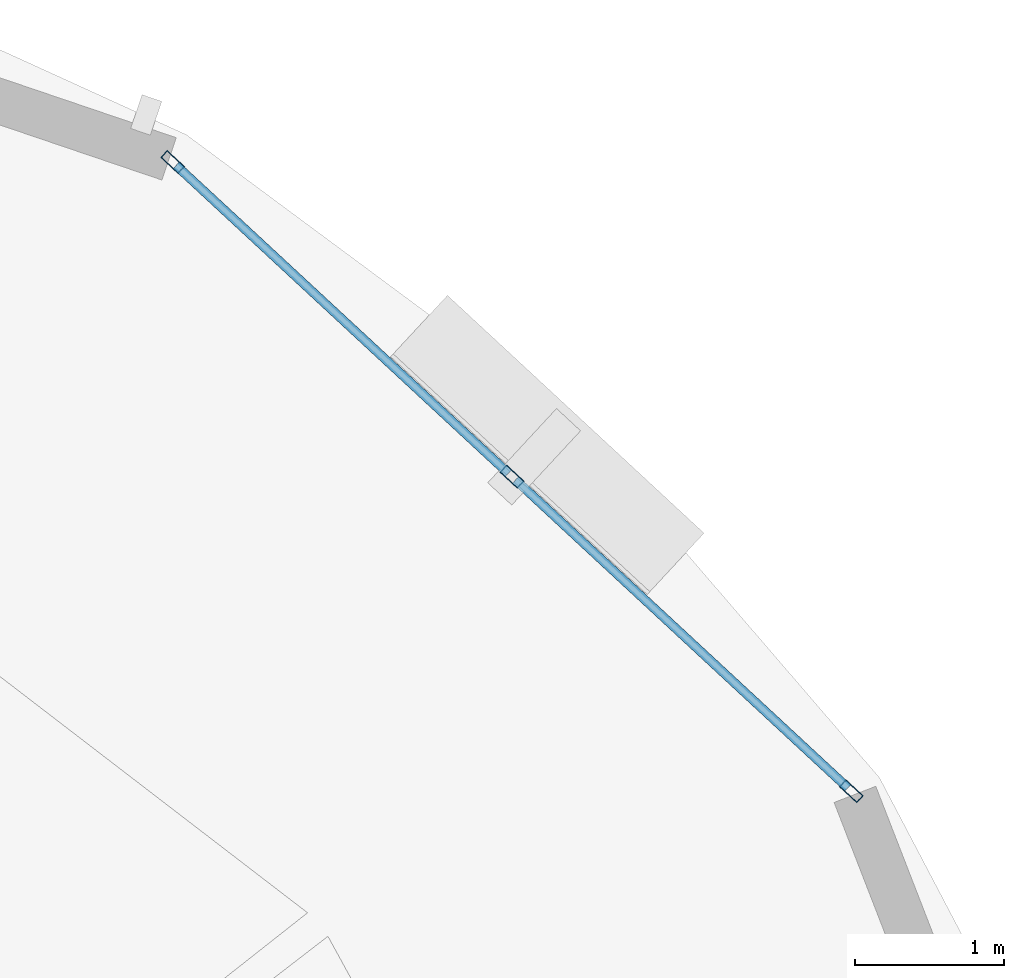
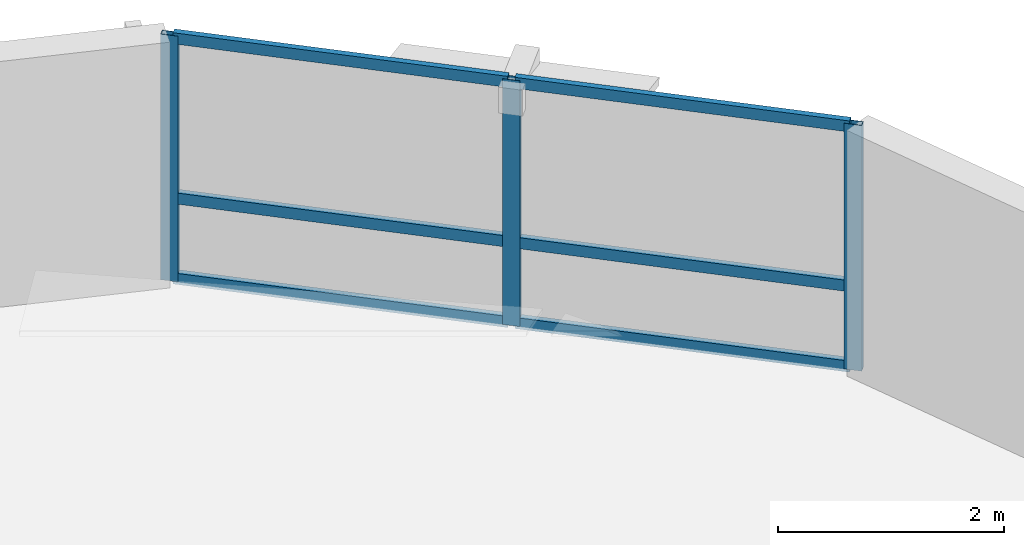
# One storey, part 6 of 12: 9 members, 1 element without a shape of its own.
"""IFC4 building model written with IfcOpenShell, lengths in metres."""

from ifc_helpers import new_model, si_unit, direction, frame, origin, origin_2d, place, context, subcontext, project, spatial, hollow_rectangle, extrude, material, layer, layer_set, material_profile, profile_set, type_object, element, aggregate, save


model = new_model("IFC4")

# Units and contexts
model_context = context("Model", 3, precision=1e-05, world=origin(), true_north=direction((0.0, 1.0)))
body_context = subcontext(model_context, "Body", "Model", "MODEL_VIEW")
ifc_project = project(units=[si_unit("LENGTHUNIT", "METRE"), si_unit("AREAUNIT", "SQUARE_METRE"), si_unit("VOLUMEUNIT", "CUBIC_METRE"), si_unit("PLANEANGLEUNIT", "RADIAN"), si_unit("MASSUNIT", "GRAM", prefix="KILO"), si_unit("THERMODYNAMICTEMPERATUREUNIT", "KELVIN"), si_unit("POWERUNIT", "WATT")], contexts=[model_context])

# Site, building, storey
site_placement = place(None, origin())
site = spatial("IfcSite", under=ifc_project, at=site_placement, CompositionType="ELEMENT")
building_placement = place(site_placement, origin())
building = spatial("IfcBuilding", under=site, at=building_placement, Name="Ocrelia Relay Tower", CompositionType="ELEMENT")
storey_placement = place(building_placement, frame((0.0, 0.0, 177.199951171875)))
storey = spatial("IfcBuildingStorey", under=building, at=storey_placement, Name="L42", CompositionType="ELEMENT", Elevation=177.199951171875)

# Curtain wall, members
ifc_material_1 = material(Name="Aluminium and solar-control low-E glass", Category="aluminium")
ifc_layer = layer(ifc_material_1, 0.179931640625, Name="Aluminium and solar-control low-E glass")
ifc_layer_set = layer_set([ifc_layer], Name="Aluminium and solar-control low-E glass")
curtain_wall_type = type_object("IfcCurtainWallType", Name="CW-SYS-Z3-CLOU", PredefinedType="NOTDEFINED", material=ifc_layer_set)
curtain_wall_placement = place(storey_placement, origin())
curtain_wall = element("IfcCurtainWall", 1, at=curtain_wall_placement, inside=storey, type_object=curtain_wall_type, Name="L42 Elliptical Tower Curtain Wall Bay 01", PredefinedType="NOTDEFINED")
ifc_material_2 = material(Name="Anodised bronze aluminium", Category="aluminium")
ifc_material_profile_1 = material_profile(ifc_material_2, hollow_rectangle(XDim=0.06494140625, YDim=0.159912109375, WallThickness=0.0048828125, at=origin_2d()), Name="CW-MUL-160x65")
ifc_profile_set_1 = profile_set([ifc_material_profile_1], Name="Anodised bronze aluminium")
member_type_1 = type_object("IfcMemberType", Name="CW-SYS-Z3-CLOU-MUL", PredefinedType="MULLION", material=ifc_profile_set_1)
member_1_placement = place(storey_placement, frame((53.329833984375, 39.1748046875, 0.0), z_axis=(0.0, 0.0, 1.0), x_axis=(-0.679695539892, -0.733494357886, 0.0)))
member_1 = element("IfcMember", 2, at=member_1_placement, type_object=member_type_1, Name="CW-Z3 mullion 1", PredefinedType="MULLION", context=body_context, shape_type="SweptSolid", body=[
    extrude(hollow_rectangle(XDim=0.06494140625, YDim=0.159912109375, WallThickness=0.0048828125, at=origin_2d()), origin(), (0.0, 0.0, 1.0), 2.66015625),
])
member_2_placement = place(storey_placement, frame((51.049560546875, 41.287841796875, 0.0), z_axis=(0.0, 0.0, 1.0), x_axis=(-0.679695539892, -0.733494357886, 0.0)))
member_2 = element("IfcMember", 3, at=member_2_placement, type_object=member_type_1, Name="CW-Z3 mullion 2", PredefinedType="MULLION", context=body_context, shape_type="SweptSolid", body=[
    extrude(hollow_rectangle(XDim=0.06494140625, YDim=0.159912109375, WallThickness=0.0048828125, at=origin_2d()), origin(), (0.0, 0.0, 1.0), 2.66015625),
])
member_3_placement = place(storey_placement, frame((48.769287109375, 43.401123046875, 0.0), z_axis=(0.0, 0.0, 1.0), x_axis=(-0.679695539892, -0.733494357886, 0.0)))
member_3 = element("IfcMember", 4, at=member_3_placement, type_object=member_type_1, Name="CW-Z3 mullion 3", PredefinedType="MULLION", context=body_context, shape_type="SweptSolid", body=[
    extrude(hollow_rectangle(XDim=0.06494140625, YDim=0.159912109375, WallThickness=0.0048828125, at=origin_2d()), origin(), (0.0, 0.0, 1.0), 2.66015625),
])
ifc_material_profile_2 = material_profile(ifc_material_2, hollow_rectangle(XDim=0.06005859375, YDim=0.1201171875, WallThickness=0.0048828125, at=origin_2d()), Name="CW-TRN-120x60")
ifc_profile_set_2 = profile_set([ifc_material_profile_2], Name="Anodised bronze aluminium")
member_type_2 = type_object("IfcMemberType", Name="CW-SYS-Z3-CLOU-TRN", PredefinedType="USERDEFINED", material=ifc_profile_set_2)
member_4_placement = place(storey_placement, frame((53.305908203125, 39.197021484375, 0.030029296875), z_axis=(-0.733467360337, 0.679724673173, 0.0), x_axis=(-0.679724673173, -0.733467360337, 0.0)))
member_4 = element("IfcMember", 5, at=member_4_placement, type_object=member_type_2, Name="CW-Z3 transom 1.1", ObjectType="TRANSOM", PredefinedType="USERDEFINED", context=body_context, shape_type="SweptSolid", body=[
    extrude(hollow_rectangle(XDim=0.06005859375, YDim=0.1201171875, WallThickness=0.0048828125, at=origin_2d()), origin(), (0.0, 0.0, 1.0), 3.043701171875),
])
member_5_placement = place(storey_placement, frame((53.305908203125, 39.197021484375, 0.900146484375), z_axis=(-0.733467360337, 0.679724673173, 0.0), x_axis=(-0.679724673173, -0.733467360337, 0.0)))
member_5 = element("IfcMember", 6, at=member_5_placement, type_object=member_type_2, Name="CW-Z3 transom 1.2", ObjectType="TRANSOM", PredefinedType="USERDEFINED", context=body_context, shape_type="SweptSolid", body=[
    extrude(hollow_rectangle(XDim=0.06005859375, YDim=0.1201171875, WallThickness=0.0048828125, at=origin_2d()), origin(), (0.0, 0.0, 1.0), 3.043701171875),
])
member_6_placement = place(storey_placement, frame((53.305908203125, 39.197021484375, 2.630126953125), z_axis=(-0.733467360337, 0.679724673173, 0.0), x_axis=(-0.679724673173, -0.733467360337, 0.0)))
member_6 = element("IfcMember", 7, at=member_6_placement, type_object=member_type_2, Name="CW-Z3 transom 1.3", ObjectType="TRANSOM", PredefinedType="USERDEFINED", context=body_context, shape_type="SweptSolid", body=[
    extrude(hollow_rectangle(XDim=0.06005859375, YDim=0.1201171875, WallThickness=0.0048828125, at=origin_2d()), origin(), (0.0, 0.0, 1.0), 3.043701171875),
])
member_7_placement = place(storey_placement, frame((51.025634765625, 41.31005859375, 0.030029296875), z_axis=(-0.733504417513, 0.679684683871, 0.0), x_axis=(-0.679684683871, -0.733504417513, 0.0)))
member_7 = element("IfcMember", 8, at=member_7_placement, type_object=member_type_2, Name="CW-Z3 transom 2.1", ObjectType="TRANSOM", PredefinedType="USERDEFINED", context=body_context, shape_type="SweptSolid", body=[
    extrude(hollow_rectangle(XDim=0.06005859375, YDim=0.1201171875, WallThickness=0.0048828125, at=origin_2d()), origin(), (0.0, 0.0, 1.0), 3.0439453125),
])
member_8_placement = place(storey_placement, frame((51.025634765625, 41.31005859375, 0.900146484375), z_axis=(-0.733504417513, 0.679684683871, 0.0), x_axis=(-0.679684683871, -0.733504417513, 0.0)))
member_8 = element("IfcMember", 9, at=member_8_placement, type_object=member_type_2, Name="CW-Z3 transom 2.2", ObjectType="TRANSOM", PredefinedType="USERDEFINED", context=body_context, shape_type="SweptSolid", body=[
    extrude(hollow_rectangle(XDim=0.06005859375, YDim=0.1201171875, WallThickness=0.0048828125, at=origin_2d()), origin(), (0.0, 0.0, 1.0), 3.0439453125),
])
member_9_placement = place(storey_placement, frame((51.025634765625, 41.31005859375, 2.630126953125), z_axis=(-0.733504417513, 0.679684683871, 0.0), x_axis=(-0.679684683871, -0.733504417513, 0.0)))
member_9 = element("IfcMember", 10, at=member_9_placement, type_object=member_type_2, Name="CW-Z3 transom 2.3", ObjectType="TRANSOM", PredefinedType="USERDEFINED", context=body_context, shape_type="SweptSolid", body=[
    extrude(hollow_rectangle(XDim=0.06005859375, YDim=0.1201171875, WallThickness=0.0048828125, at=origin_2d()), origin(), (0.0, 0.0, 1.0), 3.0439453125),
])
aggregate(curtain_wall, [member_1, member_2, member_3, member_4, member_5, member_6, member_7, member_8, member_9])

save(model, "model.ifc")
